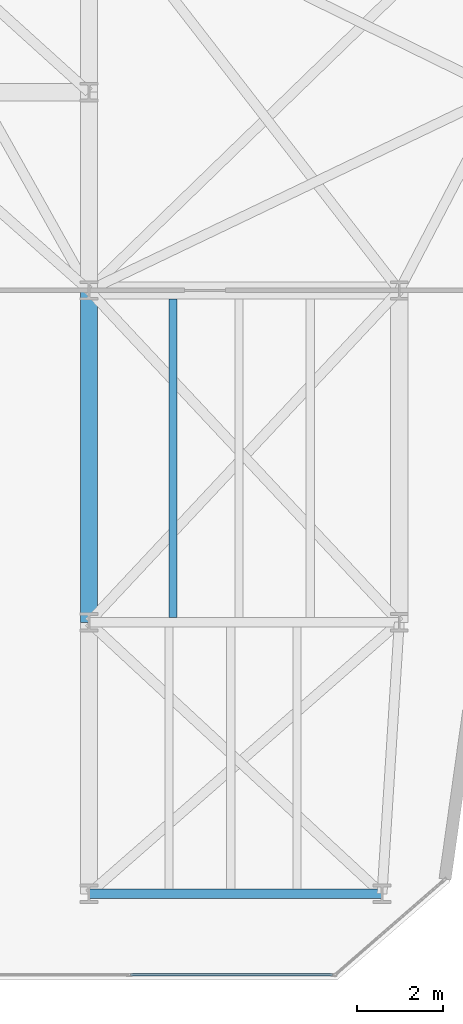
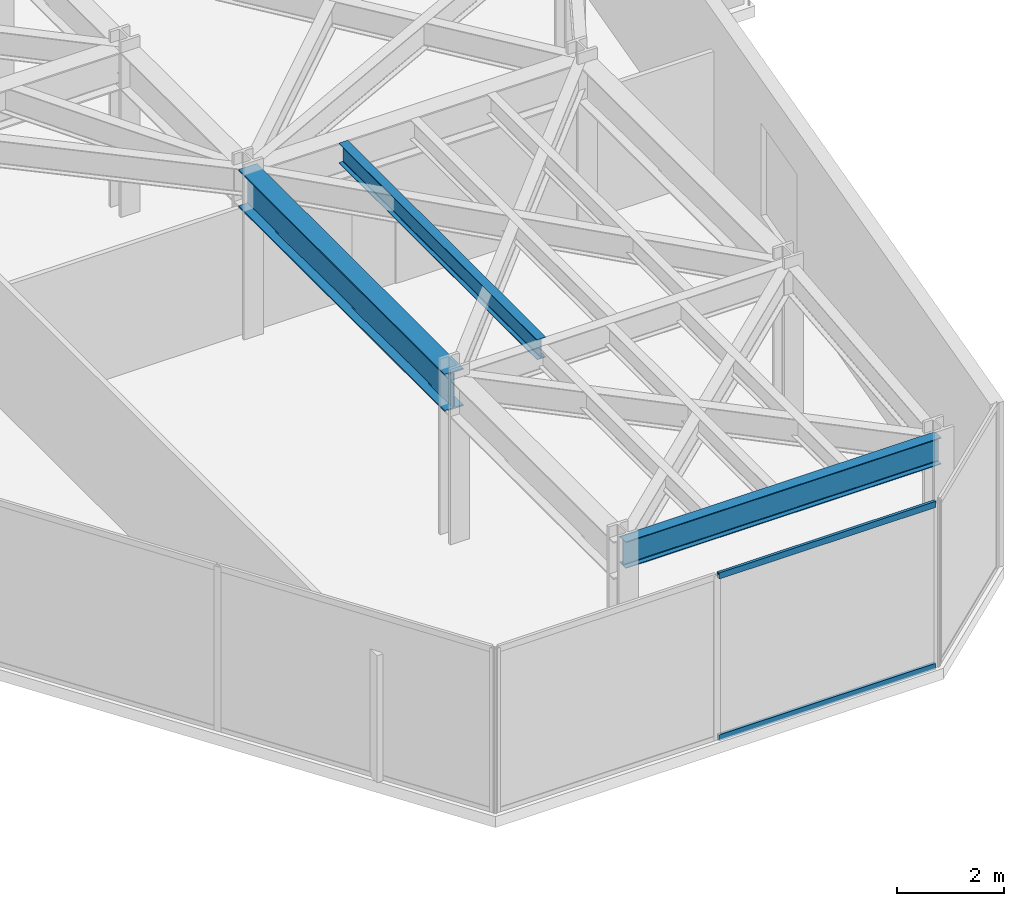
# One storey, part 18 of 26: 3 beams, 2 members, 1 element without a shape of its own.
"""IFC4 building model written with IfcOpenShell, lengths in metres."""

from ifc_helpers import new_model, si_unit, direction, frame, origin, origin_2d, place, context, subcontext, project, spatial, hollow_rectangle, i_section, extrude, material, layer, layer_set, material_profile, profile_set, type_object, element, aggregate, save


model = new_model("IFC4")

# Units and contexts
model_context = context("Model", 3, precision=1e-05, world=origin(), true_north=direction((0.0, 1.0)))
body_context = subcontext(model_context, "Body", "Model", "MODEL_VIEW")
ifc_project = project(units=[si_unit("LENGTHUNIT", "METRE"), si_unit("AREAUNIT", "SQUARE_METRE"), si_unit("VOLUMEUNIT", "CUBIC_METRE"), si_unit("PLANEANGLEUNIT", "RADIAN"), si_unit("MASSUNIT", "GRAM", prefix="KILO")], contexts=[model_context])

# Site, building, storey
site_placement = place(None, origin())
site = spatial("IfcSite", under=ifc_project, at=site_placement, CompositionType="ELEMENT")
building_placement = place(site_placement, origin())
building = spatial("IfcBuilding", under=site, at=building_placement, Name="Kravanh Interchange Tower", CompositionType="ELEMENT")
storey_placement = place(building_placement, frame((0.0, 0.0, 144.0)))
storey = spatial("IfcBuildingStorey", under=building, at=storey_placement, Name="L34", CompositionType="ELEMENT", Elevation=144.0)

# Curtain wall, members
ifc_material_1 = material(Name="Anodised Bronze Aluminium", Category="aluminium")
ifc_layer = layer(ifc_material_1, 0.179931640625)
ifc_layer_set = layer_set([ifc_layer], Name="Unitised Curtain Wall System CW-Z2 Mid Office")
curtain_wall_type = type_object("IfcCurtainWallType", Name="Unitised Curtain Wall System CW-Z2 Mid Office", PredefinedType="NOTDEFINED", material=ifc_layer_set)
curtain_wall_placement = place(storey_placement, origin())
curtain_wall = element("IfcCurtainWall", 1, at=curtain_wall_placement, inside=storey, type_object=curtain_wall_type, Name="L34 Unitised Curtain Wall CW-L34-03", PredefinedType="NOTDEFINED")
ifc_material_2 = material(Name="Anodised Bronze Aluminium", Category="aluminium")
ifc_material_profile_1 = material_profile(ifc_material_2, hollow_rectangle(XDim=0.06005859375, YDim=0.139892578125, WallThickness=0.00390625, at=origin_2d()), Name="ALU60X140X4")
ifc_profile_set_1 = profile_set([ifc_material_profile_1], Name="Anodised Bronze Aluminium")
member_type = type_object("IfcMemberType", Name="Curtain Wall Transom ALU60X140X4 Bronze", PredefinedType="USERDEFINED", material=ifc_profile_set_1)
member_1_placement = place(storey_placement, frame((61.650146484375, 6.320068359375, 0.030029296875), z_axis=(-1.0, 0.0, 0.0), x_axis=(0.0, -1.0, 0.0)))
member_1 = element("IfcMember", 2, at=member_1_placement, type_object=member_type, Name="CW-Z2 transom 1.1", ObjectType="TRANSOM", PredefinedType="USERDEFINED", context=body_context, shape_type="SweptSolid", body=[
    extrude(hollow_rectangle(XDim=0.06005859375, YDim=0.139892578125, WallThickness=0.00390625, at=origin_2d()), origin(), (0.0, 0.0, 1.0), 4.68212890625),
])
member_2_placement = place(storey_placement, frame((61.650146484375, 6.320068359375, 3.719970703125), z_axis=(-1.0, 0.0, 0.0), x_axis=(0.0, -1.0, 0.0)))
member_2 = element("IfcMember", 3, at=member_2_placement, type_object=member_type, Name="CW-Z2 transom 1.2", ObjectType="TRANSOM", PredefinedType="USERDEFINED", context=body_context, shape_type="SweptSolid", body=[
    extrude(hollow_rectangle(XDim=0.06005859375, YDim=0.139892578125, WallThickness=0.00390625, at=origin_2d()), origin(), (0.0, 0.0, 1.0), 4.68212890625),
])
aggregate(curtain_wall, [member_1, member_2])

# Beams
ifc_material_3 = material(Name="Structural Steel S355", Category="steel")
ifc_material_profile_2 = material_profile(ifc_material_3, i_section(OverallWidth=0.39990234375, OverallDepth=0.85595703125, WebThickness=0.018310546875, FlangeThickness=0.029296875, FilletRadius=0.02490234375, at=origin_2d()), Name="W33X201")
ifc_profile_set_2 = profile_set([ifc_material_profile_2], Name="Structural Steel S355")
beam_type_1 = type_object("IfcBeamType", Name="Floor Beam W33X201 Structural Steel S355", PredefinedType="BEAM", material=ifc_profile_set_2)
beam_1_placement = place(storey_placement, frame((56.0, 14.5, 3.322021484375), z_axis=(0.0, 1.0, 0.0), x_axis=(-1.0, 0.0, 0.0)))
element("IfcBeam", 4, at=beam_1_placement, inside=storey, type_object=beam_type_1, Name="L34 Primary Floor Girder 104", PredefinedType="BEAM", context=body_context, shape_type="SweptSolid", body=[
    extrude(i_section(OverallWidth=0.39990234375, OverallDepth=0.85595703125, WebThickness=0.018310546875, FlangeThickness=0.029296875, FilletRadius=0.02490234375, at=origin_2d()), origin(), (0.0, 0.0, 1.0), 7.699951171875),
])
ifc_material_4 = material(Name="Structural Steel S355", Category="steel")
ifc_material_profile_3 = material_profile(ifc_material_4, i_section(OverallWidth=0.18994140625, OverallDepth=0.45703125, WebThickness=0.009033203125, FlangeThickness=0.014404296875, FilletRadius=0.01806640625, at=origin_2d()), Name="W18X50")
ifc_profile_set_3 = profile_set([ifc_material_profile_3], Name="Structural Steel S355")
beam_type_2 = type_object("IfcBeamType", Name="Floor Joist W18X50 Structural Steel S355", PredefinedType="JOIST", material=ifc_profile_set_3)
beam_2_placement = place(storey_placement, frame((57.947998046875, 14.60888671875, 3.521484375), z_axis=(0.0, 1.0, 0.0), x_axis=(-1.0, 0.0, 0.0)))
element("IfcBeam", 5, at=beam_2_placement, inside=storey, type_object=beam_type_2, Name="L34 Secondary Floor Joist 10", PredefinedType="JOIST", context=body_context, shape_type="SweptSolid", body=[
    extrude(i_section(OverallWidth=0.18994140625, OverallDepth=0.45703125, WebThickness=0.009033203125, FlangeThickness=0.014404296875, FilletRadius=0.01806640625, at=origin_2d()), origin(), (0.0, 0.0, 1.0), 7.39599609375),
])
ifc_material_5 = material(Name="Structural Steel S355", Category="steel")
ifc_material_profile_4 = material_profile(ifc_material_5, i_section(OverallWidth=0.22802734375, OverallDepth=0.60791015625, WebThickness=0.01123046875, FlangeThickness=0.017333984375, FilletRadius=0.02197265625, at=origin_2d()), Name="W24X76")
ifc_profile_set_4 = profile_set([ifc_material_profile_4], Name="Structural Steel S355")
beam_type_3 = type_object("IfcBeamType", Name="Floor Spandrel W24X76 Structural Steel S355", PredefinedType="SPANDREL", material=ifc_profile_set_4)
beam_3_placement = place(storey_placement, frame((56.0, 8.199951171875, 3.446044921875), z_axis=(1.0, 0.0, 0.0), x_axis=(0.0, 1.0, 0.0)))
element("IfcBeam", 6, at=beam_3_placement, inside=storey, type_object=beam_type_3, Name="L34 Perimeter Spandrel 96", PredefinedType="SPANDREL", context=body_context, shape_type="SweptSolid", body=[
    extrude(i_section(OverallWidth=0.22802734375, OverallDepth=0.60791015625, WebThickness=0.01123046875, FlangeThickness=0.017333984375, FilletRadius=0.02197265625, at=origin_2d()), origin(), (0.0, 0.0, 1.0), 6.800048828125),
])

save(model, "model.ifc")
